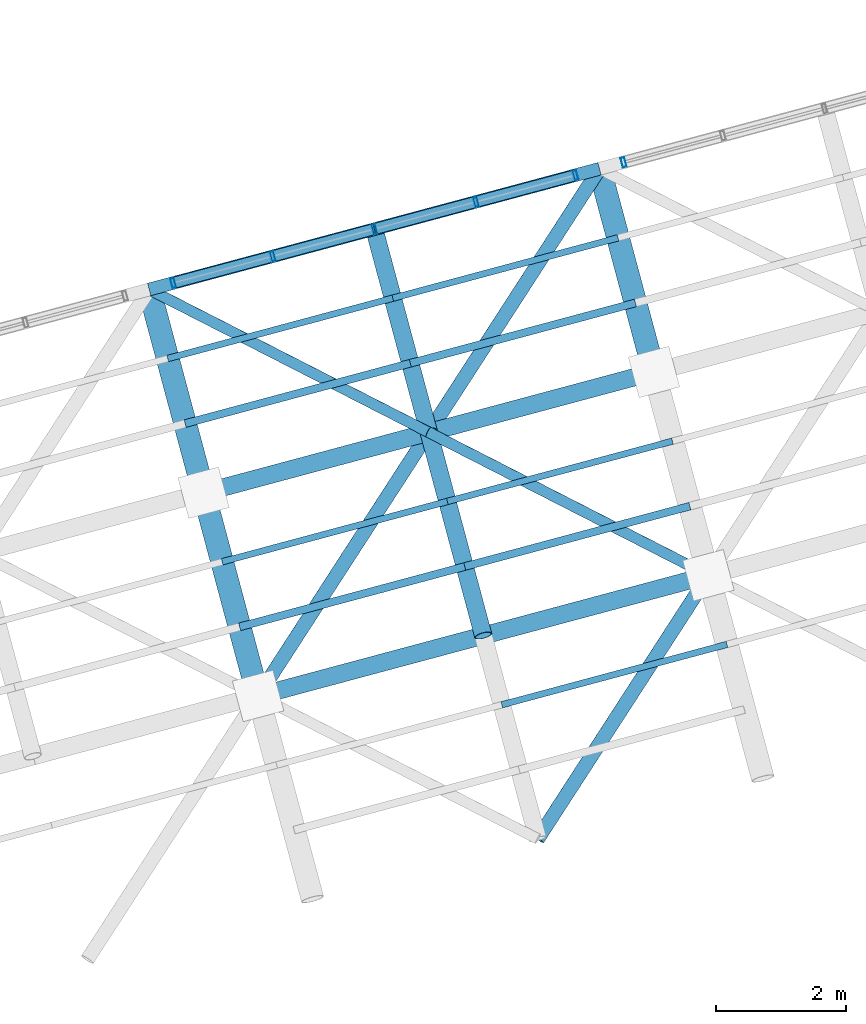
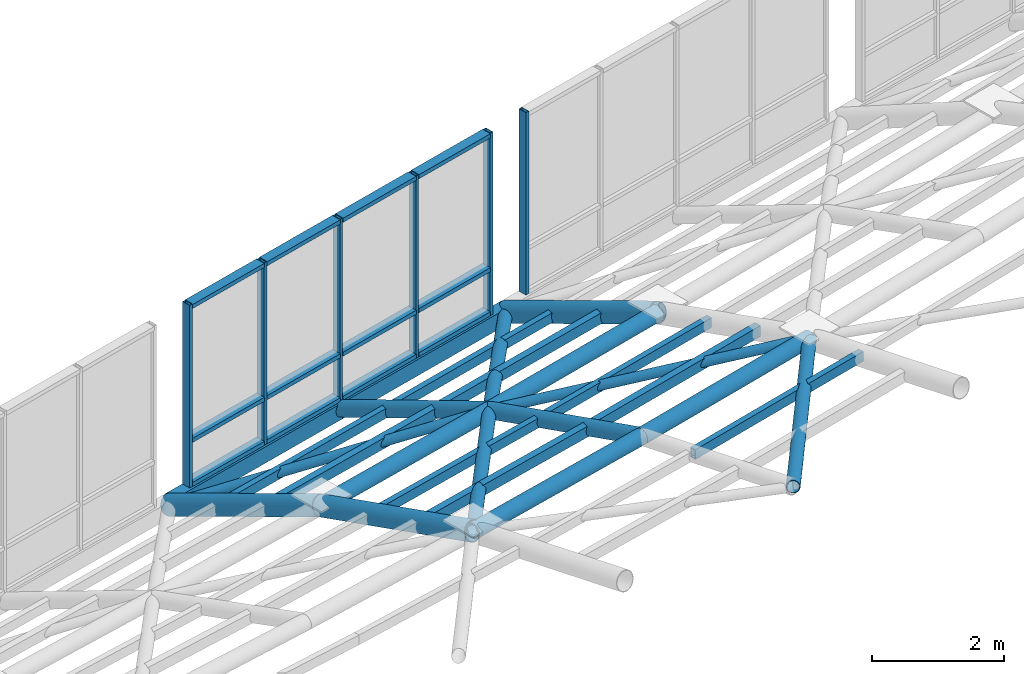
# One storey, part 12 of 29: 43 members, 2 elements without a shape of their own.
"""IFC4 building model written with IfcOpenShell, lengths in metres."""

from ifc_helpers import new_model, si_unit, direction, frame, origin, origin_2d, place, context, subcontext, project, spatial, hollow_rectangle, hollow_circle, extrude, material, layer, layer_set, material_profile, profile_set, type_object, element, aggregate, save


model = new_model("IFC4")

# Units and contexts
model_context = context("Model", 3, precision=1e-05, world=origin(), true_north=direction((0.0, 1.0)))
body_context = subcontext(model_context, "Body", "Model", "MODEL_VIEW")
ifc_project = project(units=[si_unit("LENGTHUNIT", "METRE"), si_unit("AREAUNIT", "SQUARE_METRE"), si_unit("VOLUMEUNIT", "CUBIC_METRE"), si_unit("PLANEANGLEUNIT", "RADIAN"), si_unit("MASSUNIT", "GRAM", prefix="KILO")], contexts=[model_context])

# Site, building, storey
site_placement = place(None, origin())
site = spatial("IfcSite", under=ifc_project, at=site_placement, CompositionType="ELEMENT")
building_placement = place(site_placement, origin())
building = spatial("IfcBuilding", under=site, at=building_placement, Name="Ventoquebrada Cableway Terminal", CompositionType="ELEMENT")
storey_placement = place(building_placement, frame((0.0, 0.0, 18.89990234375)))
storey = spatial("IfcBuildingStorey", under=building, at=storey_placement, Name="L04", CompositionType="ELEMENT", Elevation=18.89990234375)

# Members
ifc_material_1 = material(Name="Steel ASTM A500 Grade C", Category="steel")
ifc_material_profile_1 = material_profile(ifc_material_1, hollow_circle(Radius=0.109619140625, WallThickness=0.010009765625, at=origin_2d()), Name="CHS219.1X10")
ifc_profile_set_1 = profile_set([ifc_material_profile_1], Name="Steel ASTM A500 Grade C")
member_type_1 = type_object("IfcMemberType", Name="BRC-GS01", PredefinedType="BRACE", material=ifc_profile_set_1)
member_1_placement = place(storey_placement, frame((60.840087890625, 92.346923828125, 3.652099609375), z_axis=(0.528816074692, 0.816406633227, -0.232021051566), x_axis=(-0.839310782724, 0.543651919892, 0.0)))
element("IfcMember", 1, at=member_1_placement, inside=storey, type_object=member_type_1, Name="Saddle gridshell diagrid brace GBR-0307", PredefinedType="BRACE", context=body_context, shape_type="SweptSolid", body=[
    extrude(hollow_circle(Radius=0.109619140625, WallThickness=0.010009765625, at=origin_2d()), origin(), (0.0, 0.0, 1.0), 4.986572265625),
])
member_2_placement = place(storey_placement, frame((65.158935546875, 90.138916015625, 4.295166015625), z_axis=(0.538794464723, 0.832119820251, -0.131442495145), x_axis=(-0.839402648036, 0.543510068416, 0.0)))
element("IfcMember", 2, at=member_2_placement, inside=storey, type_object=member_type_1, Name="Saddle gridshell diagrid brace GBR-0328", PredefinedType="BRACE", context=body_context, shape_type="SweptSolid", body=[
    extrude(hollow_circle(Radius=0.109619140625, WallThickness=0.010009765625, at=origin_2d()), origin(), (0.0, 0.0, 1.0), 4.892333984375),
])
member_3_placement = place(storey_placement, frame((63.47705078125, 96.41796875, 2.4951171875), z_axis=(0.516936568346, 0.79836225592, -0.308859664944), x_axis=(-0.839402648036, 0.543510068416, 0.0)))
element("IfcMember", 3, at=member_3_placement, inside=storey, type_object=member_type_1, Name="Saddle gridshell diagrid brace GBR-0334", PredefinedType="BRACE", context=body_context, shape_type="SweptSolid", body=[
    extrude(hollow_circle(Radius=0.109619140625, WallThickness=0.010009765625, at=origin_2d()), origin(), (0.0, 0.0, 1.0), 5.099365234375),
])
ifc_material_profile_2 = material_profile(ifc_material_1, hollow_circle(Radius=0.084228515625, WallThickness=0.008056640625, at=origin_2d()), Name="CHS168.3X8")
ifc_profile_set_2 = profile_set([ifc_material_profile_2], Name="Steel ASTM A500 Grade C")
member_type_2 = type_object("IfcMemberType", Name="BRC-GS02", PredefinedType="BRACE", material=ifc_profile_set_2)
member_4_placement = place(storey_placement, frame((59.157958984375, 98.625, 0.920166015625), z_axis=(0.846945674883, -0.432784404553, 0.308837632054), x_axis=(0.455028578566, 0.890476834448, 0.0)))
element("IfcMember", 4, at=member_4_placement, inside=storey, type_object=member_type_2, Name="Saddle gridshell diagrid brace GBR-0310", PredefinedType="BRACE", context=body_context, shape_type="SweptSolid", body=[
    extrude(hollow_circle(Radius=0.084228515625, WallThickness=0.008056640625, at=origin_2d()), origin(), (0.0, 0.0, 1.0), 5.099609375),
])
member_5_placement = place(storey_placement, frame((63.47705078125, 96.41796875, 2.4951171875), z_axis=(0.866038702365, -0.44286181297, 0.232056847818), x_axis=(0.455290222831, 0.890343087239, 0.0)))
element("IfcMember", 5, at=member_5_placement, inside=storey, type_object=member_type_2, Name="Saddle gridshell diagrid brace GBR-0331", PredefinedType="BRACE", context=body_context, shape_type="SweptSolid", body=[
    extrude(hollow_circle(Radius=0.084228515625, WallThickness=0.008056640625, at=origin_2d()), origin(), (0.0, 0.0, 1.0), 4.98583984375),
])
ifc_material_profile_3 = material_profile(ifc_material_1, hollow_circle(Radius=0.177734375, WallThickness=0.012451171875, at=origin_2d()), Name="CHS355.6X12.5")
ifc_profile_set_3 = profile_set([ifc_material_profile_3], Name="Steel ASTM A500 Grade C")
member_type_3 = type_object("IfcMemberType", Name="CHD-GS01", PredefinedType="CHORD", material=ifc_profile_set_3)
member_6_placement = place(storey_placement, frame((60.840087890625, 92.346923828125, 3.652099609375), z_axis=(-0.244257995787, 0.91166017702, -0.330475041615), x_axis=(-0.965931285943, -0.258798668539, 0.0)))
element("IfcMember", 6, at=member_6_placement, inside=storey, type_object=member_type_3, Name="Saddle gridshell arch chord GCH-0053", PredefinedType="CHORD", context=body_context, shape_type="SweptSolid", body=[
    extrude(hollow_circle(Radius=0.177734375, WallThickness=0.012451171875, at=origin_2d()), origin(), (0.0, 0.0, 1.0), 3.443359375),
])
for number, where, z_axis, x_axis, name in (
    (7, (59.9990234375, 95.486083984375, 2.51416015625), (-0.232368388901, 0.867216364616, -0.440386998878), (-0.965926253902, -0.258817449225, 0.0), "Saddle gridshell arch chord GCH-0054"),
    (8, (66.9541015625, 97.35009765625, 2.51416015625), (-0.232368388901, 0.867216364616, -0.440386998878), (-0.965926253902, -0.258817449225, 0.0), "Saddle gridshell arch chord GCH-0070"),
):
    element("IfcMember", number, at=place(storey_placement, frame(where, z_axis=z_axis, x_axis=x_axis)), inside=storey, type_object=member_type_3, Name=name, PredefinedType="CHORD", context=body_context, shape_type="SweptSolid", body=[
        extrude(hollow_circle(Radius=0.177734375, WallThickness=0.012451171875, at=origin_2d()), origin(), (0.0, 0.0, 1.0), 3.61962890625),
    ])
ifc_material_profile_4 = material_profile(ifc_material_1, hollow_circle(Radius=0.136474609375, WallThickness=0.012451171875, at=origin_2d()), Name="CHS273.0X12.5")
ifc_profile_set_4 = profile_set([ifc_material_profile_4], Name="Steel ASTM A500 Grade C")
member_type_4 = type_object("IfcMemberType", Name="CHD-GS02", PredefinedType="CHORD", material=ifc_profile_set_4)
member_7_placement = place(storey_placement, frame((64.318115234375, 93.279052734375, 3.6201171875), z_axis=(-0.244576014343, 0.912776144094, -0.327142604961), x_axis=(-0.965926253902, -0.258817449225, 0.0)))
element("IfcMember", 9, at=member_7_placement, inside=storey, type_object=member_type_4, Name="Saddle gridshell arch chord GCH-0061", PredefinedType="CHORD", context=body_context, shape_type="SweptSolid", body=[
    extrude(hollow_circle(Radius=0.136474609375, WallThickness=0.012451171875, at=origin_2d()), origin(), (0.0, 0.0, 1.0), 3.43896484375),
])
member_8_placement = place(storey_placement, frame((63.47705078125, 96.41796875, 2.4951171875), z_axis=(-0.233161148855, 0.86916581352, -0.436103963834), x_axis=(-0.965851091058, -0.25909779988, 0.0)))
element("IfcMember", 10, at=member_8_placement, inside=storey, type_object=member_type_4, Name="Saddle gridshell arch chord GCH-0062", PredefinedType="CHORD", context=body_context, shape_type="SweptSolid", body=[
    extrude(hollow_circle(Radius=0.136474609375, WallThickness=0.012451171875, at=origin_2d()), origin(), (0.0, 0.0, 1.0), 3.611328125),
])
member_9_placement = place(storey_placement, frame((60.840087890625, 92.346923828125, 3.652099609375), z_axis=(0.965874236569, 0.258859176978, -0.008881758037), x_axis=(-0.258869387716, 0.96591233562, 0.0)))
element("IfcMember", 11, at=member_9_placement, inside=storey, type_object=member_type_4, Name="Saddle gridshell longitudinal chord GLG-0167", PredefinedType="CHORD", context=body_context, shape_type="SweptSolid", body=[
    extrude(hollow_circle(Radius=0.136474609375, WallThickness=0.012451171875, at=origin_2d()), origin(), (0.0, 0.0, 1.0), 3.600830078125),
])
member_10_placement = place(storey_placement, frame((64.318115234375, 93.279052734375, 3.6201171875), z_axis=(0.965936250394, 0.25862754882, 0.008885446865), x_axis=(-0.258637758898, 0.965974383549, 0.0)))
element("IfcMember", 12, at=member_10_placement, inside=storey, type_object=member_type_4, Name="Saddle gridshell longitudinal chord GLG-0168", PredefinedType="CHORD", context=body_context, shape_type="SweptSolid", body=[
    extrude(hollow_circle(Radius=0.136474609375, WallThickness=0.012451171875, at=origin_2d()), origin(), (0.0, 0.0, 1.0), 3.599365234375),
])
member_11_placement = place(storey_placement, frame((59.9990234375, 95.486083984375, 2.51416015625), z_axis=(0.96591577921, 0.258802508019, -0.005288602469), x_axis=(-0.25880612736, 0.965929287495, 0.0)))
element("IfcMember", 13, at=member_11_placement, inside=storey, type_object=member_type_4, Name="Saddle gridshell longitudinal chord GLG-0177", PredefinedType="CHORD", context=body_context, shape_type="SweptSolid", body=[
    extrude(hollow_circle(Radius=0.136474609375, WallThickness=0.012451171875, at=origin_2d()), origin(), (0.0, 0.0, 1.0), 3.600830078125),
])
member_12_placement = place(storey_placement, frame((63.47705078125, 96.41796875, 2.4951171875), z_axis=(0.965880639423, 0.258933596497, 0.005289895371), x_axis=(-0.258937219442, 0.965894153822, 0.0)))
element("IfcMember", 14, at=member_12_placement, inside=storey, type_object=member_type_4, Name="Saddle gridshell longitudinal chord GLG-0178", PredefinedType="CHORD", context=body_context, shape_type="SweptSolid", body=[
    extrude(hollow_circle(Radius=0.136474609375, WallThickness=0.012451171875, at=origin_2d()), origin(), (0.0, 0.0, 1.0), 3.599853515625),
])
ifc_material_profile_5 = material_profile(ifc_material_1, hollow_rectangle(XDim=0.199951171875, YDim=0.300048828125, WallThickness=0.012451171875, at=origin_2d()), Name="RHS300X200X12.5")
ifc_profile_set_5 = profile_set([ifc_material_profile_5], Name="Steel ASTM A500 Grade C")
member_type_5 = type_object("IfcMemberType", Name="CHD-GS03", PredefinedType="CHORD", material=ifc_profile_set_5)
member_13_placement = place(storey_placement, frame((59.157958984375, 98.625, 0.920166015625), z_axis=(0.965911114263, 0.258873944891, 0.0), x_axis=(-0.258873944891, 0.965911114263, 0.0)))
element("IfcMember", 15, at=member_13_placement, inside=storey, type_object=member_type_5, Name="Saddle gridshell longitudinal chord GLG-0187", PredefinedType="CHORD", context=body_context, shape_type="SweptSolid", body=[
    extrude(hollow_rectangle(XDim=0.199951171875, YDim=0.300048828125, WallThickness=0.012451171875, at=origin_2d()), origin(), (0.0, 0.0, 1.0), 3.599853515625),
])
member_14_placement = place(storey_placement, frame((62.635009765625, 99.556884765625, 0.920166015625), z_axis=(0.96591233562, 0.258869387716, 0.0), x_axis=(-0.258869387716, 0.96591233562, 0.0)))
element("IfcMember", 16, at=member_14_placement, inside=storey, type_object=member_type_5, Name="Saddle gridshell longitudinal chord GLG-0188", PredefinedType="CHORD", context=body_context, shape_type="SweptSolid", body=[
    extrude(hollow_rectangle(XDim=0.199951171875, YDim=0.300048828125, WallThickness=0.012451171875, at=origin_2d()), origin(), (0.0, 0.0, 1.0), 3.600830078125),
])

# Curtain wall, members
ifc_material_2 = material(Name="Anodized thermally-broken aluminium", Category="aluminium")
ifc_layer = layer(ifc_material_2, 0.159912109375)
ifc_layer_set = layer_set([ifc_layer], Name="Anodized thermally-broken aluminium")
curtain_wall_type = type_object("IfcCurtainWallType", Name="CW-T45", PredefinedType="USERDEFINED", material=ifc_layer_set)
curtain_wall_1_placement = place(storey_placement, origin())
curtain_wall_1 = element("IfcCurtainWall", 17, at=curtain_wall_1_placement, inside=storey, type_object=curtain_wall_type, Name="Unitised glazed curtain wall CW-140", ObjectType="UNITISED CURTAIN WALL", PredefinedType="USERDEFINED")
ifc_material_profile_6 = material_profile(ifc_material_2, hollow_rectangle(XDim=0.06005859375, YDim=0.14990234375, WallThickness=0.00390625, at=origin_2d()), Name="CW-MUL-60X150")
ifc_profile_set_6 = profile_set([ifc_material_profile_6], Name="Anodized thermally-broken aluminium")
member_type_6 = type_object("IfcMemberType", Name="CWM-03", PredefinedType="MULLION", material=ifc_profile_set_6)
member_15_placement = place(storey_placement, frame((65.740966796875, 100.388916015625, 1.087158203125), z_axis=(0.0, 0.0, 1.0), x_axis=(-0.965943892913, -0.258751610128, 0.0)))
member_15 = element("IfcMember", 18, at=member_15_placement, type_object=member_type_6, Name="Curtain wall mullion FML-0681", PredefinedType="MULLION", context=body_context, shape_type="SweptSolid", body=[
    extrude(hollow_rectangle(XDim=0.06005859375, YDim=0.14990234375, WallThickness=0.00390625, at=origin_2d()), origin(), (0.0, 0.0, 1.0), 3.373046875),
])
member_16_placement = place(storey_placement, frame((64.205078125, 99.97705078125, 1.087158203125), z_axis=(0.0, 0.0, 1.0), x_axis=(-0.965943892913, -0.258751610128, 0.0)))
member_16 = element("IfcMember", 19, at=member_16_placement, type_object=member_type_6, Name="Curtain wall mullion FML-0682", PredefinedType="MULLION", context=body_context, shape_type="SweptSolid", body=[
    extrude(hollow_rectangle(XDim=0.06005859375, YDim=0.14990234375, WallThickness=0.00390625, at=origin_2d()), origin(), (0.0, 0.0, 1.0), 3.373046875),
])
member_17_placement = place(storey_placement, frame((62.635986328125, 99.556884765625, 1.087158203125), z_axis=(0.0, 0.0, 1.0), x_axis=(-0.965943892913, -0.258751610128, 0.0)))
member_17 = element("IfcMember", 20, at=member_17_placement, type_object=member_type_6, Name="Curtain wall mullion FML-0683", PredefinedType="MULLION", context=body_context, shape_type="SweptSolid", body=[
    extrude(hollow_rectangle(XDim=0.06005859375, YDim=0.14990234375, WallThickness=0.00390625, at=origin_2d()), origin(), (0.0, 0.0, 1.0), 3.373046875),
])
member_18_placement = place(storey_placement, frame((61.06591796875, 99.135986328125, 1.087158203125), z_axis=(0.0, 0.0, 1.0), x_axis=(-0.965943892913, -0.258751610128, 0.0)))
member_18 = element("IfcMember", 21, at=member_18_placement, type_object=member_type_6, Name="Curtain wall mullion FML-0684", PredefinedType="MULLION", context=body_context, shape_type="SweptSolid", body=[
    extrude(hollow_rectangle(XDim=0.06005859375, YDim=0.14990234375, WallThickness=0.00390625, at=origin_2d()), origin(), (0.0, 0.0, 1.0), 3.373046875),
])
member_19_placement = place(storey_placement, frame((59.530029296875, 98.72509765625, 1.087158203125), z_axis=(0.0, 0.0, 1.0), x_axis=(-0.965943892913, -0.258751610128, 0.0)))
member_19 = element("IfcMember", 22, at=member_19_placement, type_object=member_type_6, Name="Curtain wall mullion FML-0685", PredefinedType="MULLION", context=body_context, shape_type="SweptSolid", body=[
    extrude(hollow_rectangle(XDim=0.06005859375, YDim=0.14990234375, WallThickness=0.00390625, at=origin_2d()), origin(), (0.0, 0.0, 1.0), 3.373046875),
])

# Curtain wall, member
curtain_wall_2_placement = place(storey_placement, origin())
curtain_wall_2 = element("IfcCurtainWall", 23, at=curtain_wall_2_placement, inside=storey, type_object=curtain_wall_type, Name="Unitised glazed curtain wall CW-141", ObjectType="UNITISED CURTAIN WALL", PredefinedType="USERDEFINED")
member_20_placement = place(storey_placement, frame((66.485107421875, 100.587890625, 1.087158203125), z_axis=(0.0, 0.0, 1.0), x_axis=(-0.965894198369, -0.258937053273, 0.0)))
member_20 = element("IfcMember", 24, at=member_20_placement, type_object=member_type_6, Name="Curtain wall mullion FML-0690", PredefinedType="MULLION", context=body_context, shape_type="SweptSolid", body=[
    extrude(hollow_rectangle(XDim=0.06005859375, YDim=0.14990234375, WallThickness=0.00390625, at=origin_2d()), origin(), (0.0, 0.0, 1.0), 3.373046875),
])
aggregate(curtain_wall_2, [member_20])

# Member
ifc_material_profile_7 = material_profile(ifc_material_2, hollow_rectangle(XDim=0.074951171875, YDim=0.169921875, WallThickness=0.00439453125, at=origin_2d()), Name="CW-TRN-75X170")
ifc_profile_set_7 = profile_set([ifc_material_profile_7], Name="Anodized thermally-broken aluminium")
member_type_7 = type_object("IfcMemberType", Name="CWT-03", PredefinedType="USERDEFINED", material=ifc_profile_set_7)
member_21_placement = place(storey_placement, frame((65.717041015625, 100.382080078125, 1.130126953125), z_axis=(-0.966010976588, -0.258501050503, 0.0), x_axis=(0.0, 0.0, 1.0)))
member_21 = element("IfcMember", 25, at=member_21_placement, type_object=member_type_7, Name="Curtain wall transom FTR-2004", ObjectType="TRANSOM", PredefinedType="USERDEFINED", context=body_context, shape_type="SweptSolid", body=[
    extrude(hollow_rectangle(XDim=0.074951171875, YDim=0.169921875, WallThickness=0.00439453125, at=origin_2d()), origin(), (0.0, 0.0, 1.0), 1.540283203125),
])

member_22_placement = place(storey_placement, frame((65.717041015625, 100.382080078125, 1.945068359375), z_axis=(-0.966010976588, -0.258501050503, 0.0), x_axis=(0.0, 0.0, 1.0)))
member_22 = element("IfcMember", 26, at=member_22_placement, type_object=member_type_7, Name="Curtain wall transom FTR-2005", ObjectType="TRANSOM", PredefinedType="USERDEFINED", context=body_context, shape_type="SweptSolid", body=[
    extrude(hollow_rectangle(XDim=0.074951171875, YDim=0.169921875, WallThickness=0.00439453125, at=origin_2d()), origin(), (0.0, 0.0, 1.0), 1.540283203125),
])

member_23_placement = place(storey_placement, frame((65.717041015625, 100.382080078125, 4.420166015625), z_axis=(-0.966010976588, -0.258501050503, 0.0), x_axis=(0.0, 0.0, 1.0)))
member_23 = element("IfcMember", 27, at=member_23_placement, type_object=member_type_7, Name="Curtain wall transom FTR-2006", ObjectType="TRANSOM", PredefinedType="USERDEFINED", context=body_context, shape_type="SweptSolid", body=[
    extrude(hollow_rectangle(XDim=0.074951171875, YDim=0.169921875, WallThickness=0.00439453125, at=origin_2d()), origin(), (0.0, 0.0, 1.0), 1.540283203125),
])

member_24_placement = place(storey_placement, frame((64.180908203125, 99.970947265625, 1.130126953125), z_axis=(-0.965860816082, -0.259061544731, 0.0), x_axis=(0.0, 0.0, 1.0)))
member_24 = element("IfcMember", 28, at=member_24_placement, type_object=member_type_7, Name="Curtain wall transom FTR-2007", ObjectType="TRANSOM", PredefinedType="USERDEFINED", context=body_context, shape_type="SweptSolid", body=[
    extrude(hollow_rectangle(XDim=0.074951171875, YDim=0.169921875, WallThickness=0.00439453125, at=origin_2d()), origin(), (0.0, 0.0, 1.0), 1.57470703125),
])

member_25_placement = place(storey_placement, frame((64.180908203125, 99.970947265625, 1.945068359375), z_axis=(-0.965860816082, -0.259061544731, 0.0), x_axis=(0.0, 0.0, 1.0)))
member_25 = element("IfcMember", 29, at=member_25_placement, type_object=member_type_7, Name="Curtain wall transom FTR-2008", ObjectType="TRANSOM", PredefinedType="USERDEFINED", context=body_context, shape_type="SweptSolid", body=[
    extrude(hollow_rectangle(XDim=0.074951171875, YDim=0.169921875, WallThickness=0.00439453125, at=origin_2d()), origin(), (0.0, 0.0, 1.0), 1.57470703125),
])

member_26_placement = place(storey_placement, frame((64.180908203125, 99.970947265625, 4.420166015625), z_axis=(-0.965860816082, -0.259061544731, 0.0), x_axis=(0.0, 0.0, 1.0)))
member_26 = element("IfcMember", 30, at=member_26_placement, type_object=member_type_7, Name="Curtain wall transom FTR-2009", ObjectType="TRANSOM", PredefinedType="USERDEFINED", context=body_context, shape_type="SweptSolid", body=[
    extrude(hollow_rectangle(XDim=0.074951171875, YDim=0.169921875, WallThickness=0.00439453125, at=origin_2d()), origin(), (0.0, 0.0, 1.0), 1.57470703125),
])

member_27_placement = place(storey_placement, frame((62.611083984375, 99.551025390625, 1.130126953125), z_axis=(-0.965860816082, -0.259061544731, 0.0), x_axis=(0.0, 0.0, 1.0)))
member_27 = element("IfcMember", 31, at=member_27_placement, type_object=member_type_7, Name="Curtain wall transom FTR-2010", ObjectType="TRANSOM", PredefinedType="USERDEFINED", context=body_context, shape_type="SweptSolid", body=[
    extrude(hollow_rectangle(XDim=0.074951171875, YDim=0.169921875, WallThickness=0.00439453125, at=origin_2d()), origin(), (0.0, 0.0, 1.0), 1.57470703125),
])

member_28_placement = place(storey_placement, frame((62.611083984375, 99.551025390625, 1.945068359375), z_axis=(-0.965860816082, -0.259061544731, 0.0), x_axis=(0.0, 0.0, 1.0)))
member_28 = element("IfcMember", 32, at=member_28_placement, type_object=member_type_7, Name="Curtain wall transom FTR-2011", ObjectType="TRANSOM", PredefinedType="USERDEFINED", context=body_context, shape_type="SweptSolid", body=[
    extrude(hollow_rectangle(XDim=0.074951171875, YDim=0.169921875, WallThickness=0.00439453125, at=origin_2d()), origin(), (0.0, 0.0, 1.0), 1.57470703125),
])

member_29_placement = place(storey_placement, frame((62.611083984375, 99.551025390625, 4.420166015625), z_axis=(-0.965860816082, -0.259061544731, 0.0), x_axis=(0.0, 0.0, 1.0)))
member_29 = element("IfcMember", 33, at=member_29_placement, type_object=member_type_7, Name="Curtain wall transom FTR-2012", ObjectType="TRANSOM", PredefinedType="USERDEFINED", context=body_context, shape_type="SweptSolid", body=[
    extrude(hollow_rectangle(XDim=0.074951171875, YDim=0.169921875, WallThickness=0.00439453125, at=origin_2d()), origin(), (0.0, 0.0, 1.0), 1.57470703125),
])

member_30_placement = place(storey_placement, frame((61.0419921875, 99.1298828125, 1.130126953125), z_axis=(-0.966050544784, -0.25835313995, 0.0), x_axis=(0.0, 0.0, 1.0)))
member_30 = element("IfcMember", 34, at=member_30_placement, type_object=member_type_7, Name="Curtain wall transom FTR-2013", ObjectType="TRANSOM", PredefinedType="USERDEFINED", context=body_context, shape_type="SweptSolid", body=[
    extrude(hollow_rectangle(XDim=0.074951171875, YDim=0.169921875, WallThickness=0.00439453125, at=origin_2d()), origin(), (0.0, 0.0, 1.0), 1.540283203125),
])

member_31_placement = place(storey_placement, frame((61.0419921875, 99.1298828125, 1.945068359375), z_axis=(-0.966050544784, -0.25835313995, 0.0), x_axis=(0.0, 0.0, 1.0)))
member_31 = element("IfcMember", 35, at=member_31_placement, type_object=member_type_7, Name="Curtain wall transom FTR-2014", ObjectType="TRANSOM", PredefinedType="USERDEFINED", context=body_context, shape_type="SweptSolid", body=[
    extrude(hollow_rectangle(XDim=0.074951171875, YDim=0.169921875, WallThickness=0.00439453125, at=origin_2d()), origin(), (0.0, 0.0, 1.0), 1.540283203125),
])

member_32_placement = place(storey_placement, frame((61.0419921875, 99.1298828125, 4.420166015625), z_axis=(-0.966050544784, -0.25835313995, 0.0), x_axis=(0.0, 0.0, 1.0)))
member_32 = element("IfcMember", 36, at=member_32_placement, type_object=member_type_7, Name="Curtain wall transom FTR-2015", ObjectType="TRANSOM", PredefinedType="USERDEFINED", context=body_context, shape_type="SweptSolid", body=[
    extrude(hollow_rectangle(XDim=0.074951171875, YDim=0.169921875, WallThickness=0.00439453125, at=origin_2d()), origin(), (0.0, 0.0, 1.0), 1.540283203125),
])

aggregate(curtain_wall_1, [member_15, member_16, member_17, member_18, member_19, member_21, member_22, member_23, member_24, member_25, member_26, member_27, member_28, member_29, member_30, member_31, member_32])

# Members
ifc_material_profile_8 = material_profile(ifc_material_1, hollow_rectangle(XDim=0.1201171875, YDim=0.199951171875, WallThickness=0.008056640625, at=origin_2d()), Name="RHS200X120X8")
ifc_profile_set_8 = profile_set([ifc_material_profile_8], Name="Steel ASTM A500 Grade C")
member_type_8 = type_object("IfcMemberType", Name="PUR-RF01", PredefinedType="PURLIN", material=ifc_profile_set_8)
for number, where, z_axis, x_axis, name in (
    (37, (60.553955078125, 93.4140625, 3.26513671875), (0.965899924794, 0.258798260069, -0.007797170529), (-0.25880612736, 0.965929287495, 0.0), "Gridshell secondary roof purlin GPR-0308"),
    (38, (59.712890625, 96.552978515625, 1.97216796875), (0.965905861505, 0.25886765262, -0.003661302578), (-0.258869387716, 0.96591233562, 0.0), "Gridshell secondary roof purlin GPR-0311"),
):
    element("IfcMember", number, at=place(storey_placement, frame(where, z_axis=z_axis, x_axis=x_axis)), inside=storey, type_object=member_type_8, Name=name, PredefinedType="PURLIN", context=body_context, shape_type="SweptSolid", body=[
        extrude(hollow_rectangle(XDim=0.1201171875, YDim=0.199951171875, WallThickness=0.008056640625, at=origin_2d()), origin(), (0.0, 0.0, 1.0), 3.600830078125),
    ])
for number, where, z_axis, x_axis, name in (
    (39, (64.031982421875, 94.345947265625, 3.237060546875), (0.965864777831, 0.258929344317, 0.007799076636), (-0.258937219442, 0.965894153822, 0.0), "Gridshell secondary roof purlin GPR-0332"),
    (40, (63.19091796875, 97.485107421875, 1.958984375), (0.965904636535, 0.258872208795, 0.003662326244), (-0.258873944891, 0.965911114263, 0.0), "Gridshell secondary roof purlin GPR-0335"),
):
    element("IfcMember", number, at=place(storey_placement, frame(where, z_axis=z_axis, x_axis=x_axis)), inside=storey, type_object=member_type_8, Name=name, PredefinedType="PURLIN", context=body_context, shape_type="SweptSolid", body=[
        extrude(hollow_rectangle(XDim=0.1201171875, YDim=0.199951171875, WallThickness=0.008056640625, at=origin_2d()), origin(), (0.0, 0.0, 1.0), 3.599853515625),
    ])
ifc_material_profile_9 = material_profile(ifc_material_1, hollow_rectangle(XDim=0.10009765625, YDim=0.179931640625, WallThickness=0.008056640625, at=origin_2d()), Name="RHS180X100X8")
ifc_profile_set_9 = profile_set([ifc_material_profile_9], Name="Steel ASTM A500 Grade C")
member_type_9 = type_object("IfcMemberType", Name="PUR-RF02", PredefinedType="PURLIN", material=ifc_profile_set_9)
member_33_placement = place(storey_placement, frame((60.284912109375, 94.4189453125, 2.901123046875), z_axis=(0.965891013272, 0.258863673219, -0.006644484017), x_axis=(-0.258869387716, 0.96591233562, 0.0)))
element("IfcMember", 41, at=member_33_placement, inside=storey, type_object=member_type_9, Name="Gridshell secondary roof purlin GPR-0309", PredefinedType="PURLIN", context=body_context, shape_type="SweptSolid", body=[
    extrude(hollow_rectangle(XDim=0.10009765625, YDim=0.179931640625, WallThickness=0.008056640625, at=origin_2d()), origin(), (0.0, 0.0, 1.0), 3.600830078125),
])
member_34_placement = place(storey_placement, frame((59.444091796875, 97.55810546875, 1.462158203125), z_axis=(0.965904700239, 0.258890403821, -0.001966943073), x_axis=(-0.258890904628, 0.965906568722, 0.0)))
element("IfcMember", 42, at=member_34_placement, inside=storey, type_object=member_type_9, Name="Gridshell secondary roof purlin GPR-0312", PredefinedType="PURLIN", context=body_context, shape_type="SweptSolid", body=[
    extrude(hollow_rectangle(XDim=0.10009765625, YDim=0.179931640625, WallThickness=0.008056640625, at=origin_2d()), origin(), (0.0, 0.0, 1.0), 3.599609375),
])
member_35_placement = place(storey_placement, frame((64.60400390625, 92.2109375, 3.85009765625), z_axis=(0.965848732675, 0.258925042926, 0.009697821147), x_axis=(-0.258937219442, 0.965894153822, 0.0)))
element("IfcMember", 43, at=member_35_placement, inside=storey, type_object=member_type_9, Name="Gridshell secondary roof purlin GPR-0330", PredefinedType="PURLIN", context=body_context, shape_type="SweptSolid", body=[
    extrude(hollow_rectangle(XDim=0.10009765625, YDim=0.179931640625, WallThickness=0.008056640625, at=origin_2d()), origin(), (0.0, 0.0, 1.0), 3.60009765625),
])
member_36_placement = place(storey_placement, frame((63.762939453125, 95.35107421875, 2.877197265625), z_axis=(0.965957581784, 0.258615100361, 0.006646808244), x_axis=(-0.258620813366, 0.965978920523, 0.0)))
element("IfcMember", 44, at=member_36_placement, inside=storey, type_object=member_type_9, Name="Gridshell secondary roof purlin GPR-0333", PredefinedType="PURLIN", context=body_context, shape_type="SweptSolid", body=[
    extrude(hollow_rectangle(XDim=0.10009765625, YDim=0.179931640625, WallThickness=0.008056640625, at=origin_2d()), origin(), (0.0, 0.0, 1.0), 3.599609375),
])
member_37_placement = place(storey_placement, frame((62.9208984375, 98.489990234375, 1.455078125), z_axis=(0.965910468415, 0.258868887295, 0.001966264466), x_axis=(-0.258869387716, 0.96591233562, 0.0)))
element("IfcMember", 45, at=member_37_placement, inside=storey, type_object=member_type_9, Name="Gridshell secondary roof purlin GPR-0336", PredefinedType="PURLIN", context=body_context, shape_type="SweptSolid", body=[
    extrude(hollow_rectangle(XDim=0.10009765625, YDim=0.179931640625, WallThickness=0.008056640625, at=origin_2d()), origin(), (0.0, 0.0, 1.0), 3.600830078125),
])

save(model, "model.ifc")
